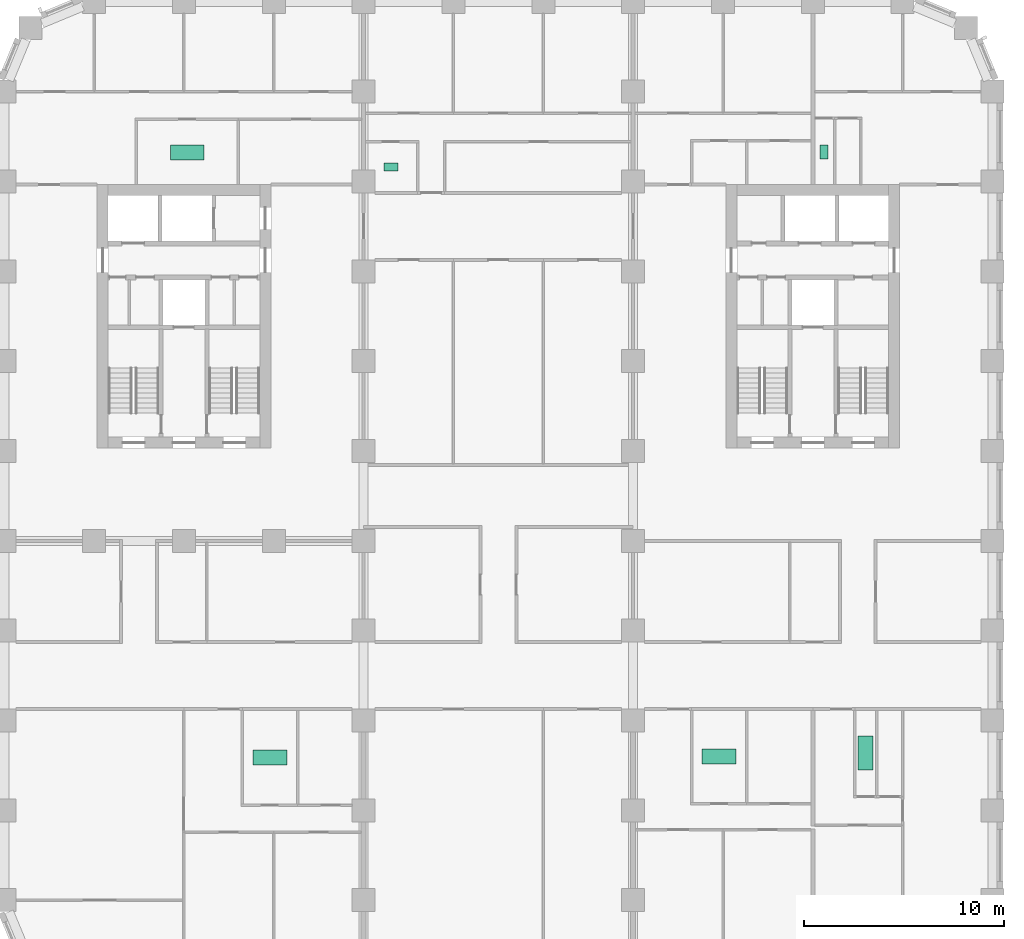
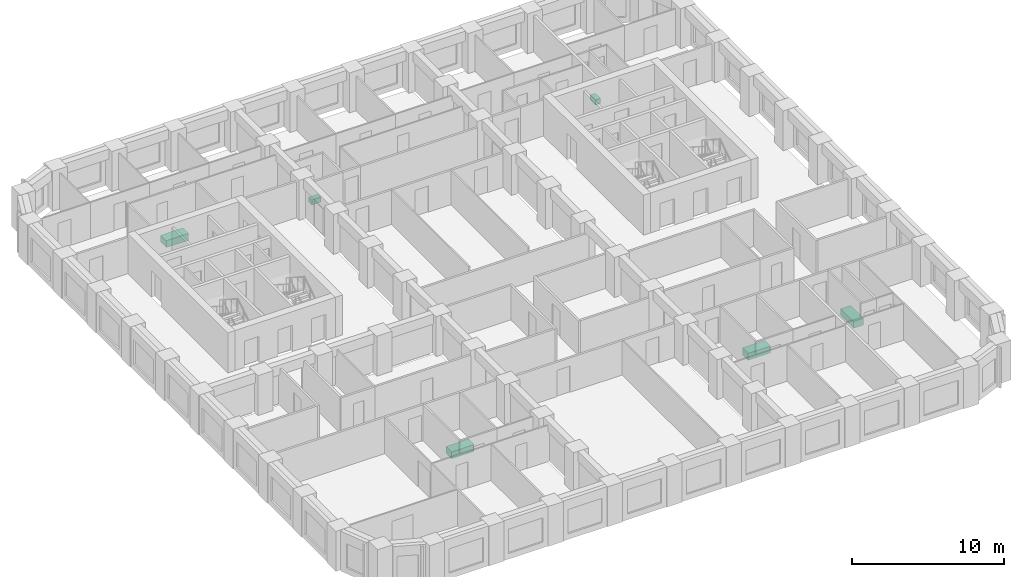
# One storey, part 13 of 13: 6 sanitary terminals.
"""IFC4 building model written with IfcOpenShell, lengths in metres."""

from ifc_helpers import new_model, si_unit, direction, frame, origin, origin_2d, place, context, subcontext, project, spatial, rectangle, extrude, material, type_object, element, save


model = new_model("IFC4")

# Units and contexts
model_context = context("Model", 3, precision=1e-05, world=origin(), true_north=direction((0.0, 1.0)))
body_context = subcontext(model_context, "Body", "Model", "MODEL_VIEW")
ifc_project = project(units=[si_unit("LENGTHUNIT", "METRE"), si_unit("AREAUNIT", "SQUARE_METRE"), si_unit("VOLUMEUNIT", "CUBIC_METRE"), si_unit("PLANEANGLEUNIT", "RADIAN"), si_unit("MASSUNIT", "GRAM", prefix="KILO")], contexts=[model_context])

# Site, building, storey
site_placement = place(None, origin())
site = spatial("IfcSite", under=ifc_project, at=site_placement, CompositionType="ELEMENT")
building_placement = place(site_placement, origin())
building = spatial("IfcBuilding", under=site, at=building_placement, Name="Girih Gate Residences", CompositionType="ELEMENT")
storey_placement = place(building_placement, frame((0.0, 0.0, 89.60009765625)))
storey = spatial("IfcBuildingStorey", under=building, at=storey_placement, Name="L24", CompositionType="ELEMENT", Elevation=89.60009765625)

# Sanitary terminals
ifc_material_1 = material(Name="Acrylic")
sanitary_terminal_type_1 = type_object("IfcSanitaryTerminalType", Name="Bath 1700", PredefinedType="BATH", material=ifc_material_1)
for number, where, z_axis, x_axis, name in (
    (1, (13.30810546875, 11.654052734375, 0.0), (0.0, 0.0, 1.0), (1.0, 0.0, 0.0), "Bath 1700 L24"),
    (2, (9.1640625, 41.9541015625, 0.0), (0.0, 0.0, 1.0), (1.0, 0.0, 0.0), "Bath 1700 L24"),
):
    element("IfcSanitaryTerminal", number, at=place(storey_placement, frame(where, z_axis=z_axis, x_axis=x_axis)), inside=storey, type_object=sanitary_terminal_type_1, Name=name, PredefinedType="BATH", context=body_context, shape_type="SweptSolid", body=[
        extrude(rectangle(XDim=1.699951171875, YDim=0.75, at=origin_2d()), origin(), (0.0, 0.0, 1.0), 0.550048828125),
    ])
sanitary_terminal_1_placement = place(storey_placement, frame((43.14501953125, 11.8740234375, 0.0), z_axis=(0.0, 0.0, 1.0), x_axis=(1.0, 0.0, 0.0)))
element("IfcSanitaryTerminal", 3, at=sanitary_terminal_1_placement, inside=storey, type_object=sanitary_terminal_type_1, Name="Bath 1700 L24", PredefinedType="BATH", context=body_context, shape_type="SweptSolid", body=[
    extrude(rectangle(XDim=0.75, YDim=1.699951171875, at=origin_2d()), origin(), (0.0, 0.0, 1.0), 0.550048828125),
])
sanitary_terminal_2_placement = place(storey_placement, frame((35.801025390625, 11.694091796875, 0.0), z_axis=(0.0, 0.0, 1.0), x_axis=(1.0, 0.0, 0.0)))
element("IfcSanitaryTerminal", 4, at=sanitary_terminal_2_placement, inside=storey, type_object=sanitary_terminal_type_1, Name="Bath 1700 L24", PredefinedType="BATH", context=body_context, shape_type="SweptSolid", body=[
    extrude(rectangle(XDim=1.699951171875, YDim=0.75, at=origin_2d()), origin(), (0.0, 0.0, 1.0), 0.550048828125),
])
ifc_material_2 = material(Name="Vitreous china")
sanitary_terminal_type_2 = type_object("IfcSanitaryTerminalType", Name="WC pan", PredefinedType="TOILETPAN", material=ifc_material_2)
sanitary_terminal_3_placement = place(storey_placement, frame((41.06396484375, 41.97412109375, 0.0), z_axis=(0.0, 0.0, 1.0), x_axis=(1.0, 0.0, 0.0)))
element("IfcSanitaryTerminal", 5, at=sanitary_terminal_3_placement, inside=storey, type_object=sanitary_terminal_type_2, Name="WC pan L24", PredefinedType="TOILETPAN", context=body_context, shape_type="SweptSolid", body=[
    extrude(rectangle(XDim=0.39990234375, YDim=0.699951171875, at=origin_2d()), origin(), (0.0, 0.0, 1.0), 0.39990234375),
])
sanitary_terminal_4_placement = place(storey_placement, frame((19.368896484375, 41.216064453125, 0.0), z_axis=(0.0, 0.0, 1.0), x_axis=(1.0, 0.0, 0.0)))
element("IfcSanitaryTerminal", 6, at=sanitary_terminal_4_placement, inside=storey, type_object=sanitary_terminal_type_2, Name="WC pan L24", PredefinedType="TOILETPAN", context=body_context, shape_type="SweptSolid", body=[
    extrude(rectangle(XDim=0.699951171875, YDim=0.39990234375, at=origin_2d()), origin(), (0.0, 0.0, 1.0), 0.39990234375),
])

save(model, "model.ifc")
